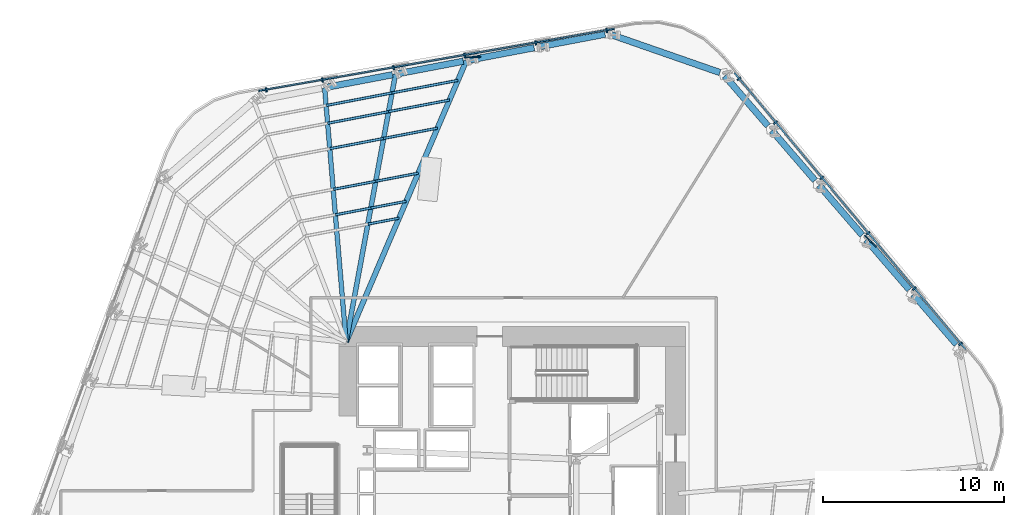
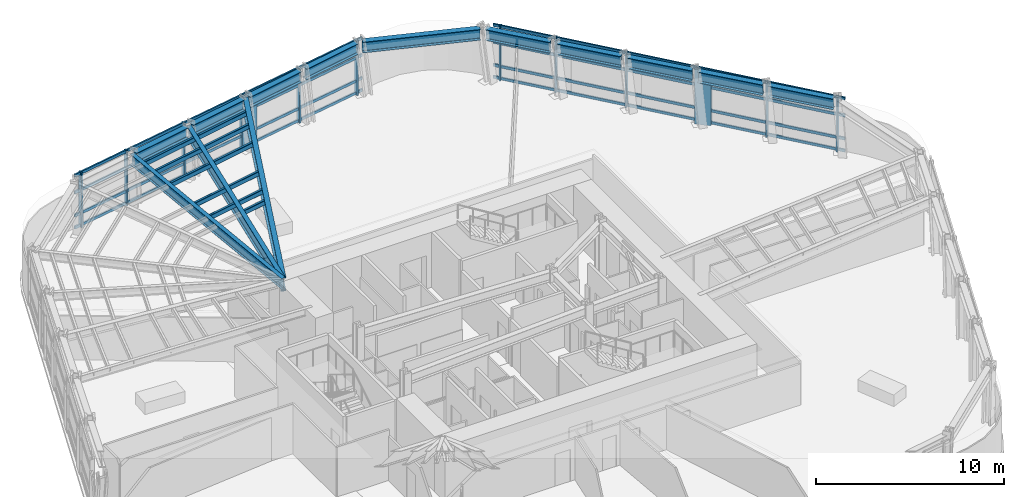
# One storey, part 6 of 16: 33 members, 13 beams, 2 elements without a shape of their own.
"""IFC4 building model written with IfcOpenShell, lengths in metres."""

from ifc_helpers import new_model, si_unit, direction, frame, origin, origin_2d, place, context, subcontext, project, spatial, rectangle, hollow_rectangle, i_section, extrude, material, layer, layer_set, material_profile, profile_set, type_object, element, aggregate, save


model = new_model("IFC4")

# Units and contexts
model_context = context("Model", 3, precision=1e-05, world=origin(), true_north=direction((0.0, 1.0)))
body_context = subcontext(model_context, "Body", "Model", "MODEL_VIEW")
ifc_project = project(units=[si_unit("LENGTHUNIT", "METRE"), si_unit("AREAUNIT", "SQUARE_METRE"), si_unit("VOLUMEUNIT", "CUBIC_METRE"), si_unit("PLANEANGLEUNIT", "RADIAN"), si_unit("MASSUNIT", "GRAM", prefix="KILO")], contexts=[model_context])

# Site, building, storey
site_placement = place(None, origin())
site = spatial("IfcSite", under=ifc_project, at=site_placement, CompositionType="ELEMENT")
building_placement = place(site_placement, origin())
building = spatial("IfcBuilding", under=site, at=building_placement, Name="Valkerne Bourse Tower", CompositionType="ELEMENT")
storey_placement = place(building_placement, frame((0.0, 0.0, 65.800048828125)))
storey = spatial("IfcBuildingStorey", under=building, at=storey_placement, Name="L16", CompositionType="ELEMENT", Elevation=65.800048828125)

# Beams
ifc_material_1 = material(Name="Steel ASTM A992", Category="steel")
ifc_material_profile_1 = material_profile(ifc_material_1, i_section(OverallWidth=0.255859375, OverallDepth=0.693359375, WebThickness=0.014404296875, FlangeThickness=0.023681640625, FilletRadius=0.02294921875, at=origin_2d()), Name="W27X114")
ifc_profile_set_1 = profile_set([ifc_material_profile_1], Name="Steel ASTM A992")
beam_type_1 = type_object("IfcBeamType", Name="BM-W27X114", PredefinedType="BEAM", material=ifc_profile_set_1)
beam_1_placement = place(storey_placement, frame((36.408935546875, 49.4833984375, 3.233154296875), z_axis=(0.084277676058, -0.996442308073, 0.0), x_axis=(0.996442308073, 0.084277676058, 0.0)))
element("IfcBeam", 1, at=beam_1_placement, inside=storey, type_object=beam_type_1, Name="L16 Radial Composite Floor Beam 10", PredefinedType="BEAM", context=body_context, shape_type="SweptSolid", body=[
    extrude(i_section(OverallWidth=0.255859375, OverallDepth=0.693359375, WebThickness=0.014404296875, FlangeThickness=0.023681640625, FilletRadius=0.02294921875, at=origin_2d()), origin(), (0.0, 0.0, 1.0), 14.1337890625),
])
ifc_material_profile_2 = material_profile(ifc_material_1, i_section(OverallWidth=0.358154296875, OverallDepth=0.7060546875, WebThickness=0.018310546875, FlangeThickness=0.0302734375, FilletRadius=0.02294921875, at=origin_2d()), Name="W27X178")
ifc_profile_set_2 = profile_set([ifc_material_profile_2], Name="Steel ASTM A992")
beam_type_2 = type_object("IfcBeamType", Name="BM-W27X178", PredefinedType="SPANDREL", material=ifc_profile_set_2)
beam_2_placement = place(storey_placement, frame((71.40869140625, 35.26953125, 3.226806640625), z_axis=(-0.653383379079, 0.757027185736, 0.0), x_axis=(-0.757027185736, -0.653383379079, 0.0)))
element("IfcBeam", 2, at=beam_2_placement, inside=storey, type_object=beam_type_2, Name="L16 Hexagonal Spandrel Ring Beam 00", PredefinedType="SPANDREL", context=body_context, shape_type="SweptSolid", body=[
    extrude(i_section(OverallWidth=0.358154296875, OverallDepth=0.7060546875, WebThickness=0.018310546875, FlangeThickness=0.0302734375, FilletRadius=0.02294921875, at=origin_2d()), origin(), (0.0, 0.0, 1.0), 3.65576171875),
])
for number, where, z_axis, x_axis, name in (
    (3, (68.7978515625, 38.29443359375, 3.226806640625), (-0.653421647996, 0.756994154489, 0.0), (-0.756994154489, -0.653421647996, 0.0), "L16 Hexagonal Spandrel Ring Beam 01"),
    (4, (66.186767578125, 41.3193359375, 3.226806640625), (-0.653421647996, 0.756994154489, 0.0), (-0.756994154489, -0.653421647996, 0.0), "L16 Hexagonal Spandrel Ring Beam 02"),
    (5, (63.57568359375, 44.34423828125, 3.226806640625), (-0.653421647996, 0.756994154489, 0.0), (-0.756994154489, -0.653421647996, 0.0), "L16 Hexagonal Spandrel Ring Beam 03"),
):
    element("IfcBeam", number, at=place(storey_placement, frame(where, z_axis=z_axis, x_axis=x_axis)), inside=storey, type_object=beam_type_2, Name=name, PredefinedType="SPANDREL", context=body_context, shape_type="SweptSolid", body=[
        extrude(i_section(OverallWidth=0.358154296875, OverallDepth=0.7060546875, WebThickness=0.018310546875, FlangeThickness=0.0302734375, FilletRadius=0.02294921875, at=origin_2d()), origin(), (0.0, 0.0, 1.0), 3.656005859375),
    ])
beam_3_placement = place(storey_placement, frame((60.964599609375, 47.369384765625, 3.226806640625), z_axis=(-0.653454679816, 0.75696564085, 0.0), x_axis=(-0.75696564085, -0.653454679816, 0.0)))
element("IfcBeam", 6, at=beam_3_placement, inside=storey, type_object=beam_type_2, Name="L16 Hexagonal Spandrel Ring Beam 04", PredefinedType="SPANDREL", context=body_context, shape_type="SweptSolid", body=[
    extrude(i_section(OverallWidth=0.358154296875, OverallDepth=0.7060546875, WebThickness=0.018310546875, FlangeThickness=0.0302734375, FilletRadius=0.02294921875, at=origin_2d()), origin(), (0.0, 0.0, 1.0), 3.65576171875),
])
beam_4_placement = place(storey_placement, frame((58.30419921875, 50.3212890625, 3.226806640625), z_axis=(-0.944368363629, 0.328889637685, 0.0), x_axis=(-0.328889637685, -0.944368363629, 0.0)))
element("IfcBeam", 7, at=beam_4_placement, inside=storey, type_object=beam_type_2, Name="L16 Hexagonal Spandrel Ring Beam 05", PredefinedType="SPANDREL", context=body_context, shape_type="SweptSolid", body=[
    extrude(i_section(OverallWidth=0.358154296875, OverallDepth=0.7060546875, WebThickness=0.018310546875, FlangeThickness=0.0302734375, FilletRadius=0.02294921875, at=origin_2d()), origin(), (0.0, 0.0, 1.0), 6.38916015625),
])
beam_5_placement = place(storey_placement, frame((51.94287109375, 52.446533203125, 3.226806640625), z_axis=(-0.982300554461, -0.187311560521, 0.0), x_axis=(0.187311560521, -0.982300554461, 0.0)))
element("IfcBeam", 8, at=beam_5_placement, inside=storey, type_object=beam_type_2, Name="L16 Hexagonal Spandrel Ring Beam 06", PredefinedType="SPANDREL", context=body_context, shape_type="SweptSolid", body=[
    extrude(i_section(OverallWidth=0.358154296875, OverallDepth=0.7060546875, WebThickness=0.018310546875, FlangeThickness=0.0302734375, FilletRadius=0.02294921875, at=origin_2d()), origin(), (0.0, 0.0, 1.0), 3.656005859375),
])
for number, where, z_axis, x_axis, name in (
    (9, (48.017578125, 51.69775390625, 3.226806640625), (-0.982285920896, -0.187388285678, 0.0), (0.187388285678, -0.982285920896, 0.0), "L16 Hexagonal Spandrel Ring Beam 07"),
    (10, (44.09228515625, 50.948974609375, 3.226806640625), (-0.982285920896, -0.187388285678, 0.0), (0.187388285678, -0.982285920896, 0.0), "L16 Hexagonal Spandrel Ring Beam 08"),
):
    element("IfcBeam", number, at=place(storey_placement, frame(where, z_axis=z_axis, x_axis=x_axis)), inside=storey, type_object=beam_type_2, Name=name, PredefinedType="SPANDREL", context=body_context, shape_type="SweptSolid", body=[
        extrude(i_section(OverallWidth=0.358154296875, OverallDepth=0.7060546875, WebThickness=0.018310546875, FlangeThickness=0.0302734375, FilletRadius=0.02294921875, at=origin_2d()), origin(), (0.0, 0.0, 1.0), 3.65576171875),
    ])
beam_6_placement = place(storey_placement, frame((40.167236328125, 50.2001953125, 3.226806640625), z_axis=(-0.982300554461, -0.187311560521, 0.0), x_axis=(0.187311560521, -0.982300554461, 0.0)))
element("IfcBeam", 11, at=beam_6_placement, inside=storey, type_object=beam_type_2, Name="L16 Hexagonal Spandrel Ring Beam 09", PredefinedType="SPANDREL", context=body_context, shape_type="SweptSolid", body=[
    extrude(i_section(OverallWidth=0.358154296875, OverallDepth=0.7060546875, WebThickness=0.018310546875, FlangeThickness=0.0302734375, FilletRadius=0.02294921875, at=origin_2d()), origin(), (0.0, 0.0, 1.0), 3.656005859375),
])
ifc_material_profile_3 = material_profile(ifc_material_1, i_section(OverallWidth=0.26806640625, OverallDepth=0.76953125, WebThickness=0.015625, FlangeThickness=0.025390625, FilletRadius=0.025390625, at=origin_2d()), Name="W30X132")
ifc_profile_set_3 = profile_set([ifc_material_profile_3], Name="Steel ASTM A992")
beam_type_3 = type_object("IfcBeamType", Name="BM-W30X132", PredefinedType="BEAM", material=ifc_profile_set_3)
beam_7_placement = place(storey_placement, frame((40.334228515625, 50.232177734375, 3.195068359375), z_axis=(-0.181282320898, -0.983431095771, 0.0), x_axis=(0.983431095771, -0.181282320898, 0.0)))
element("IfcBeam", 12, at=beam_7_placement, inside=storey, type_object=beam_type_3, Name="L16 Radial Composite Floor Beam 09", PredefinedType="BEAM", context=body_context, shape_type="SweptSolid", body=[
    extrude(i_section(OverallWidth=0.26806640625, OverallDepth=0.76953125, WebThickness=0.015625, FlangeThickness=0.025390625, FilletRadius=0.025390625, at=origin_2d()), origin(), (0.0, 0.0, 1.0), 15.082275390625),
])
ifc_material_profile_4 = material_profile(ifc_material_1, i_section(OverallWidth=0.2919921875, OverallDepth=0.8583984375, WebThickness=0.01708984375, FlangeThickness=0.031005859375, FilletRadius=0.025390625, at=origin_2d()), Name="W33X169")
ifc_profile_set_4 = profile_set([ifc_material_profile_4], Name="Steel ASTM A992")
beam_type_4 = type_object("IfcBeamType", Name="BM-W33X169", PredefinedType="BEAM", material=ifc_profile_set_4)
beam_8_placement = place(storey_placement, frame((44.259521484375, 50.98095703125, 3.150634765625), z_axis=(-0.393013128029, -0.919532860314, 0.0), x_axis=(0.919532860314, -0.393013128029, 0.0)))
element("IfcBeam", 13, at=beam_8_placement, inside=storey, type_object=beam_type_4, Name="L16 Radial Composite Floor Beam 08", PredefinedType="BEAM", context=body_context, shape_type="SweptSolid", body=[
    extrude(i_section(OverallWidth=0.2919921875, OverallDepth=0.8583984375, WebThickness=0.01708984375, FlangeThickness=0.031005859375, FilletRadius=0.025390625, at=origin_2d()), origin(), (0.0, 0.0, 1.0), 16.944580078125),
])

# Curtain wall, members
ifc_material_2 = material(Name="Aluminium AA 6063-T6", Category="aluminium")
ifc_layer = layer(ifc_material_2, 0.22509765625)
ifc_layer_set = layer_set([ifc_layer], Name="Aluminium AA 6063-T6")
curtain_wall_type = type_object("IfcCurtainWallType", Name="CW-01", PredefinedType="NOTDEFINED", material=ifc_layer_set)
curtain_wall_1_placement = place(storey_placement, origin())
curtain_wall_1 = element("IfcCurtainWall", 14, at=curtain_wall_1_placement, inside=storey, type_object=curtain_wall_type, Name="L16 Hexagonal Stick Curtain Wall Face 1", PredefinedType="NOTDEFINED")
ifc_material_profile_5 = material_profile(ifc_material_2, rectangle(XDim=0.090087890625, YDim=0.239990234375, at=origin_2d()), Name="CWM-90X240")
ifc_profile_set_5 = profile_set([ifc_material_profile_5], Name="Aluminium AA 6063-T6")
member_type_1 = type_object("IfcMemberType", Name="CW-MUL-240X90", PredefinedType="MULLION", material=ifc_profile_set_5)
member_1_placement = place(storey_placement, frame((71.63623046875, 35.291748046875, 0.0), z_axis=(0.0, 0.0, 1.0), x_axis=(-0.641458547713, 0.767157696674, 0.0)))
member_1 = element("IfcMember", 15, at=member_1_placement, type_object=member_type_1, Name="CW-L16-F1 Jamb Mullion 00A", PredefinedType="MULLION", context=body_context, shape_type="SweptSolid", body=[
    extrude(rectangle(XDim=0.090087890625, YDim=0.239990234375, at=origin_2d()), origin(), (0.0, 0.0, 1.0), 3.579833984375),
])
member_2_placement = place(storey_placement, frame((69.072998046875, 38.357421875, 0.0), z_axis=(0.0, 0.0, 1.0), x_axis=(-0.641443819545, 0.767170011384, 0.0)))
member_2 = element("IfcMember", 16, at=member_2_placement, type_object=member_type_1, Name="CW-L16-F1 Jamb Mullion 01A", PredefinedType="MULLION", context=body_context, shape_type="SweptSolid", body=[
    extrude(rectangle(XDim=0.090087890625, YDim=0.239990234375, at=origin_2d()), origin(), (0.0, 0.0, 1.0), 3.579833984375),
])
member_3_placement = place(storey_placement, frame((66.509765625, 41.423095703125, 0.0), z_axis=(0.0, 0.0, 1.0), x_axis=(-0.641456134466, 0.767159714503, 0.0)))
member_3 = element("IfcMember", 17, at=member_3_placement, type_object=member_type_1, Name="CW-L16-F1 Jamb Mullion 02A", PredefinedType="MULLION", context=body_context, shape_type="SweptSolid", body=[
    extrude(rectangle(XDim=0.090087890625, YDim=0.239990234375, at=origin_2d()), origin(), (0.0, 0.0, 1.0), 3.579833984375),
])
member_4_placement = place(storey_placement, frame((63.946533203125, 44.488525390625, 0.0), z_axis=(0.0, 0.0, 1.0), x_axis=(-0.641458547713, 0.767157696674, 0.0)))
member_4 = element("IfcMember", 18, at=member_4_placement, type_object=member_type_1, Name="CW-L16-F1 Jamb Mullion 03A", PredefinedType="MULLION", context=body_context, shape_type="SweptSolid", body=[
    extrude(rectangle(XDim=0.090087890625, YDim=0.239990234375, at=origin_2d()), origin(), (0.0, 0.0, 1.0), 3.579833984375),
])
member_5_placement = place(storey_placement, frame((61.38330078125, 47.55419921875, 0.0), z_axis=(0.0, 0.0, 1.0), x_axis=(-0.641443819545, 0.767170011384, 0.0)))
member_5 = element("IfcMember", 19, at=member_5_placement, type_object=member_type_1, Name="CW-L16-F1 Jamb Mullion 04A", PredefinedType="MULLION", context=body_context, shape_type="SweptSolid", body=[
    extrude(rectangle(XDim=0.090087890625, YDim=0.239990234375, at=origin_2d()), origin(), (0.0, 0.0, 1.0), 3.579833984375),
])
member_6_placement = place(storey_placement, frame((59.35888671875, 49.975341796875, 0.0), z_axis=(0.0, 0.0, 1.0), x_axis=(-0.641443819545, 0.767170011384, 0.0)))
member_6 = element("IfcMember", 20, at=member_6_placement, type_object=member_type_1, Name="CW-L16-F1 Jamb Mullion 04B", PredefinedType="MULLION", context=body_context, shape_type="SweptSolid", body=[
    extrude(rectangle(XDim=0.090087890625, YDim=0.239990234375, at=origin_2d()), origin(), (0.0, 0.0, 1.0), 3.579833984375),
])

curtain_wall_2_placement = place(storey_placement, origin())
curtain_wall_2 = element("IfcCurtainWall", 21, at=curtain_wall_2_placement, inside=storey, type_object=curtain_wall_type, Name="L16 Hexagonal Stick Curtain Wall Face 2", PredefinedType="NOTDEFINED")
member_7_placement = place(storey_placement, frame((52.037109375, 52.654541015625, 0.0), z_axis=(0.0, 0.0, 1.0), x_axis=(-0.985110565094, -0.171922001326, 0.0)))
member_7 = element("IfcMember", 22, at=member_7_placement, type_object=member_type_1, Name="CW-L16-F2 Jamb Mullion 00A", PredefinedType="MULLION", context=body_context, shape_type="SweptSolid", body=[
    extrude(rectangle(XDim=0.090087890625, YDim=0.239990234375, at=origin_2d()), origin(), (0.0, 0.0, 1.0), 3.579833984375),
])
member_8_placement = place(storey_placement, frame((48.1005859375, 51.967529296875, 0.0), z_axis=(0.0, 0.0, 1.0), x_axis=(-0.985110565094, -0.171922001326, 0.0)))
member_8 = element("IfcMember", 23, at=member_8_placement, type_object=member_type_1, Name="CW-L16-F2 Jamb Mullion 01A", PredefinedType="MULLION", context=body_context, shape_type="SweptSolid", body=[
    extrude(rectangle(XDim=0.090087890625, YDim=0.239990234375, at=origin_2d()), origin(), (0.0, 0.0, 1.0), 3.579833984375),
])
member_9_placement = place(storey_placement, frame((44.164306640625, 51.280517578125, 0.0), z_axis=(0.0, 0.0, 1.0), x_axis=(-0.985106326518, -0.171946286536, 0.0)))
member_9 = element("IfcMember", 24, at=member_9_placement, type_object=member_type_1, Name="CW-L16-F2 Jamb Mullion 02A", PredefinedType="MULLION", context=body_context, shape_type="SweptSolid", body=[
    extrude(rectangle(XDim=0.090087890625, YDim=0.239990234375, at=origin_2d()), origin(), (0.0, 0.0, 1.0), 3.579833984375),
])
member_10_placement = place(storey_placement, frame((40.227783203125, 50.593505859375, 0.0), z_axis=(0.0, 0.0, 1.0), x_axis=(-0.985110565094, -0.171922001326, 0.0)))
member_10 = element("IfcMember", 25, at=member_10_placement, type_object=member_type_1, Name="CW-L16-F2 Jamb Mullion 03A", PredefinedType="MULLION", context=body_context, shape_type="SweptSolid", body=[
    extrude(rectangle(XDim=0.090087890625, YDim=0.239990234375, at=origin_2d()), origin(), (0.0, 0.0, 1.0), 3.579833984375),
])
member_11_placement = place(storey_placement, frame((36.291259765625, 49.906494140625, 0.0), z_axis=(0.0, 0.0, 1.0), x_axis=(-0.985110565094, -0.171922001326, 0.0)))
member_11 = element("IfcMember", 26, at=member_11_placement, type_object=member_type_1, Name="CW-L16-F2 Jamb Mullion 04A", PredefinedType="MULLION", context=body_context, shape_type="SweptSolid", body=[
    extrude(rectangle(XDim=0.090087890625, YDim=0.239990234375, at=origin_2d()), origin(), (0.0, 0.0, 1.0), 3.579833984375),
])
member_12_placement = place(storey_placement, frame((33.18212890625, 49.364013671875, 0.0), z_axis=(0.0, 0.0, 1.0), x_axis=(-0.985110565094, -0.171922001326, 0.0)))
member_12 = element("IfcMember", 27, at=member_12_placement, type_object=member_type_1, Name="CW-L16-F2 Jamb Mullion 04B", PredefinedType="MULLION", context=body_context, shape_type="SweptSolid", body=[
    extrude(rectangle(XDim=0.090087890625, YDim=0.239990234375, at=origin_2d()), origin(), (0.0, 0.0, 1.0), 3.579833984375),
])

# Member
ifc_material_profile_6 = material_profile(ifc_material_2, rectangle(XDim=0.090087890625, YDim=0.179931640625, at=origin_2d()), Name="CWT-90X180")
ifc_profile_set_6 = profile_set([ifc_material_profile_6], Name="Aluminium AA 6063-T6")
member_type_2 = type_object("IfcMemberType", Name="CW-TRN-180X90", PredefinedType="USERDEFINED", material=ifc_profile_set_6)
member_13_placement = place(storey_placement, frame((71.9208984375, 34.982421875, 0.119873046875), z_axis=(-0.641451529149, 0.767163565188, 0.0), x_axis=(-0.767163565188, -0.641451529149, 0.0)))
member_13 = element("IfcMember", 28, at=member_13_placement, type_object=member_type_2, Name="CW-L16-F1 Continuous Face Transom 1", ObjectType="TRANSOM", PredefinedType="USERDEFINED", context=body_context, shape_type="SweptSolid", body=[
    extrude(rectangle(XDim=0.090087890625, YDim=0.179931640625, at=origin_2d()), origin(), (0.0, 0.0, 1.0), 19.97998046875),
])

member_14_placement = place(storey_placement, frame((71.9208984375, 34.982421875, 0.89990234375), z_axis=(-0.641451529149, 0.767163565188, 0.0), x_axis=(-0.767163565188, -0.641451529149, 0.0)))
member_14 = element("IfcMember", 29, at=member_14_placement, type_object=member_type_2, Name="CW-L16-F1 Continuous Face Transom 2", ObjectType="TRANSOM", PredefinedType="USERDEFINED", context=body_context, shape_type="SweptSolid", body=[
    extrude(rectangle(XDim=0.090087890625, YDim=0.179931640625, at=origin_2d()), origin(), (0.0, 0.0, 1.0), 19.97998046875),
])

member_15_placement = place(storey_placement, frame((71.9208984375, 34.982421875, 2.39990234375), z_axis=(-0.641451529149, 0.767163565188, 0.0), x_axis=(-0.767163565188, -0.641451529149, 0.0)))
member_15 = element("IfcMember", 30, at=member_15_placement, type_object=member_type_2, Name="CW-L16-F1 Continuous Face Transom 3", ObjectType="TRANSOM", PredefinedType="USERDEFINED", context=body_context, shape_type="SweptSolid", body=[
    extrude(rectangle(XDim=0.090087890625, YDim=0.179931640625, at=origin_2d()), origin(), (0.0, 0.0, 1.0), 19.97998046875),
])

member_16_placement = place(storey_placement, frame((71.9208984375, 34.982421875, 3.5), z_axis=(-0.641451529149, 0.767163565188, 0.0), x_axis=(-0.767163565188, -0.641451529149, 0.0)))
member_16 = element("IfcMember", 31, at=member_16_placement, type_object=member_type_2, Name="CW-L16-F1 Continuous Face Transom 4", ObjectType="TRANSOM", PredefinedType="USERDEFINED", context=body_context, shape_type="SweptSolid", body=[
    extrude(rectangle(XDim=0.090087890625, YDim=0.179931640625, at=origin_2d()), origin(), (0.0, 0.0, 1.0), 19.97998046875),
])

aggregate(curtain_wall_1, [member_13, member_14, member_15, member_16, member_1, member_2, member_3, member_4, member_5, member_6])

member_17_placement = place(storey_placement, frame((52.447509765625, 52.74658203125, 0.119873046875), z_axis=(-0.985108172224, -0.171935711875, 0.0), x_axis=(0.171935711875, -0.985108172224, 0.0)))
member_17 = element("IfcMember", 32, at=member_17_placement, type_object=member_type_2, Name="CW-L16-F2 Continuous Face Transom 1", ObjectType="TRANSOM", PredefinedType="USERDEFINED", context=body_context, shape_type="SweptSolid", body=[
    extrude(rectangle(XDim=0.090087890625, YDim=0.179931640625, at=origin_2d()), origin(), (0.0, 0.0, 1.0), 19.980224609375),
])

member_18_placement = place(storey_placement, frame((52.447509765625, 52.74658203125, 0.89990234375), z_axis=(-0.985108172224, -0.171935711875, 0.0), x_axis=(0.171935711875, -0.985108172224, 0.0)))
member_18 = element("IfcMember", 33, at=member_18_placement, type_object=member_type_2, Name="CW-L16-F2 Continuous Face Transom 2", ObjectType="TRANSOM", PredefinedType="USERDEFINED", context=body_context, shape_type="SweptSolid", body=[
    extrude(rectangle(XDim=0.090087890625, YDim=0.179931640625, at=origin_2d()), origin(), (0.0, 0.0, 1.0), 19.980224609375),
])

member_19_placement = place(storey_placement, frame((52.447509765625, 52.74658203125, 2.39990234375), z_axis=(-0.985108172224, -0.171935711875, 0.0), x_axis=(0.171935711875, -0.985108172224, 0.0)))
member_19 = element("IfcMember", 34, at=member_19_placement, type_object=member_type_2, Name="CW-L16-F2 Continuous Face Transom 3", ObjectType="TRANSOM", PredefinedType="USERDEFINED", context=body_context, shape_type="SweptSolid", body=[
    extrude(rectangle(XDim=0.090087890625, YDim=0.179931640625, at=origin_2d()), origin(), (0.0, 0.0, 1.0), 19.980224609375),
])

member_20_placement = place(storey_placement, frame((52.447509765625, 52.74658203125, 3.5), z_axis=(-0.985108172224, -0.171935711875, 0.0), x_axis=(0.171935711875, -0.985108172224, 0.0)))
member_20 = element("IfcMember", 35, at=member_20_placement, type_object=member_type_2, Name="CW-L16-F2 Continuous Face Transom 4", ObjectType="TRANSOM", PredefinedType="USERDEFINED", context=body_context, shape_type="SweptSolid", body=[
    extrude(rectangle(XDim=0.090087890625, YDim=0.179931640625, at=origin_2d()), origin(), (0.0, 0.0, 1.0), 19.980224609375),
])

aggregate(curtain_wall_2, [member_17, member_18, member_19, member_20, member_7, member_8, member_9, member_10, member_11, member_12])

# Members
ifc_material_3 = material(Name="Bronze Anodised Aluminium AA 6063-T6", Category="aluminium")
ifc_material_profile_7 = material_profile(ifc_material_3, rectangle(XDim=0.070068359375, YDim=0.89990234375, at=origin_2d()), Name="FIN-70X900")
ifc_profile_set_7 = profile_set([ifc_material_profile_7], Name="Bronze Anodised Aluminium AA 6063-T6")
member_type_3 = type_object("IfcMemberType", Name="FIN-SOLAR-900", PredefinedType="USERDEFINED", material=ifc_profile_set_7)
for number, where, z_axis, x_axis, name in (
    (36, (66.64111328125, 40.9853515625, 0.00390625), (0.0, 0.0, 1.0), (0.693910637245, 0.720061127627, 0.0), "L16 Bronze Anodised Solar Fin F1-02"),
    (37, (44.60888671875, 51.175537109375, 0.00390625), (0.0, 0.0, 1.0), (-0.036510547832, 0.999333267683, 0.0), "L16 Bronze Anodised Solar Fin F2-02"),
):
    element("IfcMember", number, at=place(storey_placement, frame(where, z_axis=z_axis, x_axis=x_axis)), inside=storey, type_object=member_type_3, Name=name, ObjectType="SOLAR_FIN", PredefinedType="USERDEFINED", context=body_context, shape_type="SweptSolid", body=[
        extrude(rectangle(XDim=0.070068359375, YDim=0.89990234375, at=origin_2d()), origin(), (0.0, 0.0, 1.0), 3.572021484375),
    ])
ifc_material_4 = material(Name="Steel ASTM A500 Grade C", Category="steel")
ifc_material_profile_8 = material_profile(ifc_material_4, hollow_rectangle(XDim=0.14990234375, YDim=0.300048828125, WallThickness=0.012451171875, OuterFilletRadius=0.02490234375, at=origin_2d()), Name="HSS300X150X12.5")
ifc_profile_set_8 = profile_set([ifc_material_profile_8], Name="Steel ASTM A500 Grade C")
member_type_4 = type_object("IfcMemberType", Name="MBR-HSS300X150X12.5", PredefinedType="PURLIN", material=ifc_profile_set_8)
member_21_placement = place(storey_placement, frame((40.530029296875, 42.255615234375, 3.419921875), z_axis=(-0.982272875656, -0.187456655659, 0.0), x_axis=(0.187456655659, -0.982272875656, 0.0)))
element("IfcMember", 38, at=member_21_placement, inside=storey, type_object=member_type_4, Name="L16 Secondary Composite Floor Purlin K-08", PredefinedType="PURLIN", context=body_context, shape_type="SweptSolid", body=[
    extrude(hollow_rectangle(XDim=0.14990234375, YDim=0.300048828125, WallThickness=0.012451171875, OuterFilletRadius=0.02490234375, at=origin_2d()), origin(), (0.0, 0.0, 1.0), 1.75830078125),
])
for number, where, z_axis, x_axis, name in (
    (39, (40.9296875, 43.1904296875, 3.419921875), (-0.982298972529, -0.187319856311, 0.0), (0.187319856311, -0.982298972529, 0.0), "L16 Secondary Composite Floor Purlin M-08"),
    (40, (38.967041015625, 42.816162109375, 3.419921875), (-0.982276482196, -0.187437756399, 0.0), (0.187437756399, -0.982276482196, 0.0), "L16 Secondary Composite Floor Purlin M-09"),
):
    element("IfcMember", number, at=place(storey_placement, frame(where, z_axis=z_axis, x_axis=x_axis)), inside=storey, type_object=member_type_4, Name=name, PredefinedType="PURLIN", context=body_context, shape_type="SweptSolid", body=[
        extrude(hollow_rectangle(XDim=0.14990234375, YDim=0.300048828125, WallThickness=0.012451171875, OuterFilletRadius=0.02490234375, at=origin_2d()), origin(), (0.0, 0.0, 1.0), 1.998046875),
    ])
for number, where, z_axis, x_axis, name in (
    (41, (42.6611328125, 47.241455078125, 3.419921875), (-0.982285754905, -0.187389155797, 0.0), (0.187389155797, -0.982285754905, 0.0), "L16 Secondary Composite Floor Purlin O-08"),
    (42, (39.677978515625, 46.67236328125, 3.419921875), (-0.982300549434, -0.187311586888, 0.0), (0.187311586888, -0.982300549434, 0.0), "L16 Secondary Composite Floor Purlin O-09"),
):
    element("IfcMember", number, at=place(storey_placement, frame(where, z_axis=z_axis, x_axis=x_axis)), inside=storey, type_object=member_type_4, Name=name, PredefinedType="PURLIN", context=body_context, shape_type="SweptSolid", body=[
        extrude(hollow_rectangle(XDim=0.14990234375, YDim=0.300048828125, WallThickness=0.012451171875, OuterFilletRadius=0.02490234375, at=origin_2d()), origin(), (0.0, 0.0, 1.0), 3.036865234375),
    ])
member_22_placement = place(storey_placement, frame((41.595703125, 44.74853515625, 3.419921875), z_axis=(-0.982292192074, -0.18735540929, 0.0), x_axis=(0.18735540929, -0.982292192074, 0.0)))
element("IfcMember", 43, at=member_22_placement, inside=storey, type_object=member_type_4, Name="L16 Secondary Composite Floor Purlin Z-08", PredefinedType="PURLIN", context=body_context, shape_type="SweptSolid", body=[
    extrude(hollow_rectangle(XDim=0.14990234375, YDim=0.300048828125, WallThickness=0.012451171875, OuterFilletRadius=0.02490234375, at=origin_2d()), origin(), (0.0, 0.0, 1.0), 2.397705078125),
])
member_23_placement = place(storey_placement, frame((39.240478515625, 44.29931640625, 3.419921875), z_axis=(-0.982288617321, -0.187374150515, 0.0), x_axis=(0.187374150515, -0.982288617321, 0.0)))
element("IfcMember", 44, at=member_23_placement, inside=storey, type_object=member_type_4, Name="L16 Secondary Composite Floor Purlin Z-09", PredefinedType="PURLIN", context=body_context, shape_type="SweptSolid", body=[
    extrude(hollow_rectangle(XDim=0.14990234375, YDim=0.300048828125, WallThickness=0.012451171875, OuterFilletRadius=0.02490234375, at=origin_2d()), origin(), (0.0, 0.0, 1.0), 2.3974609375),
])
for number, where, z_axis, x_axis, name in (
    (45, (43.3271484375, 48.799560546875, 3.419921875), (-0.982282560288, -0.187405901066, 0.0), (0.187405901066, -0.982282560288, 0.0), "L16 Secondary Composite Floor Purlin T-08"),
    (46, (39.951416015625, 48.155517578125, 3.419921875), (-0.982295635674, -0.18733735382, 0.0), (0.18733735382, -0.982295635674, 0.0), "L16 Secondary Composite Floor Purlin T-09"),
):
    element("IfcMember", number, at=place(storey_placement, frame(where, z_axis=z_axis, x_axis=x_axis)), inside=storey, type_object=member_type_4, Name=name, PredefinedType="PURLIN", context=body_context, shape_type="SweptSolid", body=[
        extrude(hollow_rectangle(XDim=0.14990234375, YDim=0.300048828125, WallThickness=0.012451171875, OuterFilletRadius=0.02490234375, at=origin_2d()), origin(), (0.0, 0.0, 1.0), 3.4365234375),
    ])
for number, where, z_axis, x_axis, name in (
    (47, (43.793212890625, 49.89013671875, 3.419921875), (-0.982290231859, -0.18736568628, 0.0), (0.18736568628, -0.982290231859, 0.0), "L16 Secondary Composite Floor Purlin U-08"),
    (48, (40.142822265625, 49.19384765625, 3.419921875), (-0.982290231859, -0.18736568628, 0.0), (0.18736568628, -0.982290231859, 0.0), "L16 Secondary Composite Floor Purlin U-09"),
):
    element("IfcMember", number, at=place(storey_placement, frame(where, z_axis=z_axis, x_axis=x_axis)), inside=storey, type_object=member_type_4, Name=name, PredefinedType="PURLIN", context=body_context, shape_type="SweptSolid", body=[
        extrude(hollow_rectangle(XDim=0.14990234375, YDim=0.300048828125, WallThickness=0.012451171875, OuterFilletRadius=0.02490234375, at=origin_2d()), origin(), (0.0, 0.0, 1.0), 3.71630859375),
    ])

save(model, "model.ifc")
